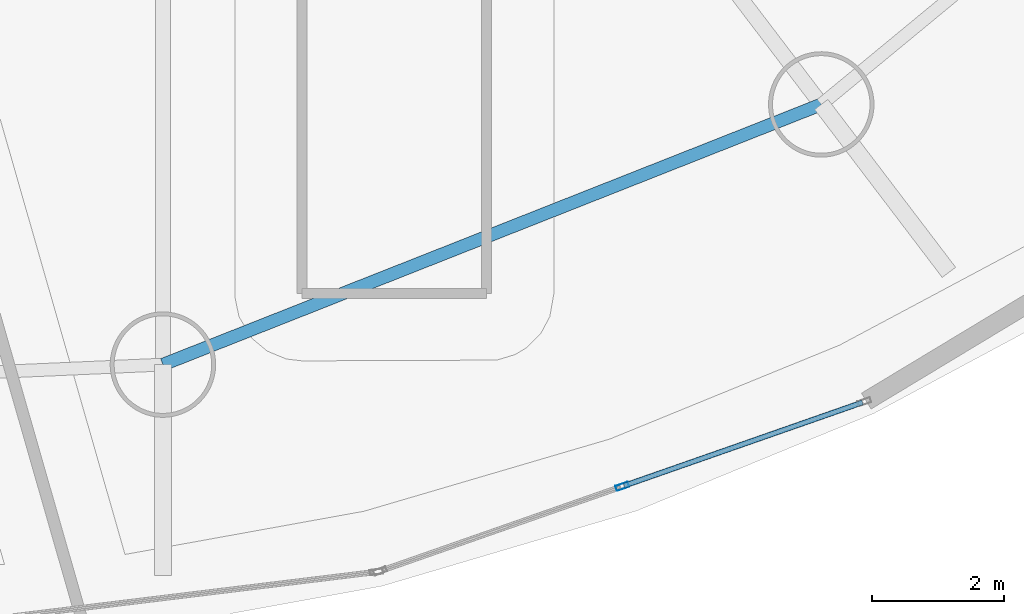
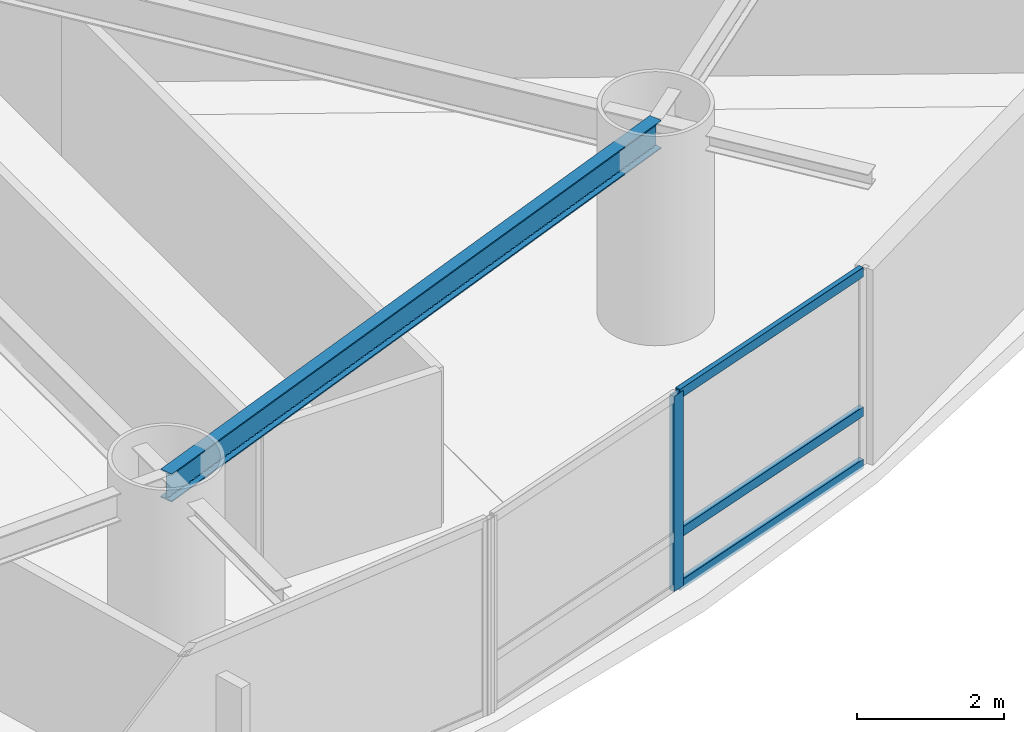
# One storey, part 9 of 30: 4 members, 1 beam, 1 element without a shape of its own.
"""IFC4 building model written with IfcOpenShell, lengths in metres."""

from ifc_helpers import new_model, si_unit, direction, frame, origin, origin_2d, place, context, subcontext, project, spatial, hollow_rectangle, i_section, extrude, material, layer, layer_set, material_profile, profile_set, type_object, element, aggregate, save


model = new_model("IFC4")

# Units and contexts
model_context = context("Model", 3, precision=1e-05, world=origin(), true_north=direction((0.0, 1.0)))
body_context = subcontext(model_context, "Body", "Model", "MODEL_VIEW")
ifc_project = project(units=[si_unit("LENGTHUNIT", "METRE"), si_unit("AREAUNIT", "SQUARE_METRE"), si_unit("VOLUMEUNIT", "CUBIC_METRE"), si_unit("PLANEANGLEUNIT", "RADIAN"), si_unit("MASSUNIT", "GRAM", prefix="KILO")], contexts=[model_context])

# Site, building, storey
site_placement = place(None, origin())
site = spatial("IfcSite", under=ifc_project, at=site_placement, CompositionType="ELEMENT")
building_placement = place(site_placement, origin())
building = spatial("IfcBuilding", under=site, at=building_placement, Name="Bramvorn Convention Spire", CompositionType="ELEMENT")
storey_placement = place(building_placement, frame((0.0, 0.0, 90.39990234375)))
storey = spatial("IfcBuildingStorey", under=building, at=storey_placement, Name="L21", CompositionType="ELEMENT", Elevation=90.39990234375)

# Beam
ifc_material_1 = material(Name="Steel CSA G40.21 Grade 350 (350W)", Category="steel")
ifc_material_profile_1 = material_profile(ifc_material_1, i_section(OverallWidth=0.194091796875, OverallDepth=0.468994140625, WebThickness=0.0126953125, FlangeThickness=0.0205078125, FilletRadius=0.01806640625, at=origin_2d()))
ifc_profile_set_1 = profile_set([ifc_material_profile_1], Name="Steel CSA G40.21 Grade 350 (350W) - W460X106")
beam_type = type_object("IfcBeamType", Name="BM-W460X106", PredefinedType="SPANDREL", material=ifc_profile_set_1)
beam_placement = place(storey_placement, frame((46.23779296875, 5.42333984375, 3.015625), z_axis=(0.93000950609, 0.367535465749, 0.0), x_axis=(-0.367535465749, 0.93000950609, 0.0)))
element("IfcBeam", 1, at=beam_placement, inside=storey, type_object=beam_type, Name="L21 mega-column ring beam 14", PredefinedType="SPANDREL", context=body_context, shape_type="SweptSolid", body=[
    extrude(i_section(OverallWidth=0.194091796875, OverallDepth=0.468994140625, WebThickness=0.0126953125, FlangeThickness=0.0205078125, FilletRadius=0.01806640625, at=origin_2d()), origin(), (0.0, 0.0, 1.0), 10.74169921875),
])

# Curtain wall, members
ifc_material_2 = material(Name="Anodised Bronze Unitised Curtain Wall", Category="aluminium")
ifc_layer = layer(ifc_material_2, 0.179931640625)
ifc_layer_set = layer_set([ifc_layer], Name="Anodised Bronze Unitised Curtain Wall - CW-HTL-FRIT")
curtain_wall_type = type_object("IfcCurtainWallType", Name="CW-HTL-FRIT", PredefinedType="USERDEFINED", material=ifc_layer_set)
curtain_wall_placement = place(storey_placement, origin())
curtain_wall = element("IfcCurtainWall", 2, at=curtain_wall_placement, inside=storey, type_object=curtain_wall_type, Name="L21 fritted glass curtain wall 21", ObjectType="UNITISED CURTAIN WALL", PredefinedType="USERDEFINED")
ifc_material_3 = material(Name="Anodised Bronze Aluminium 6063-T6", Category="aluminium")
ifc_material_profile_2 = material_profile(ifc_material_3, hollow_rectangle(XDim=0.080078125, YDim=0.199951171875, WallThickness=0.00390625, InnerFilletRadius=0.0009765625, OuterFilletRadius=0.00390625, at=origin_2d()))
ifc_profile_set_2 = profile_set([ifc_material_profile_2], Name="Anodised Bronze Aluminium 6063-T6 - CWM80X200")
member_type_1 = type_object("IfcMemberType", Name="CW-MUL-180", PredefinedType="MULLION", material=ifc_profile_set_2)
member_1_placement = place(storey_placement, frame((53.208251953125, 3.575439453125, 0.0), z_axis=(0.0, 0.0, 1.0), x_axis=(0.329972810015, -0.943990436737, 0.0)))
member_1 = element("IfcMember", 3, at=member_1_placement, type_object=member_type_1, Name="CW2 mullion 2", PredefinedType="MULLION", context=body_context, shape_type="SweptSolid", body=[
    extrude(hollow_rectangle(XDim=0.080078125, YDim=0.199951171875, WallThickness=0.00390625, InnerFilletRadius=0.0009765625, OuterFilletRadius=0.00390625, at=origin_2d()), origin(), (0.0, 0.0, 1.0), 3.25),
])
ifc_material_profile_3 = material_profile(ifc_material_3, hollow_rectangle(XDim=0.080078125, YDim=0.159912109375, WallThickness=0.00390625, InnerFilletRadius=0.0009765625, OuterFilletRadius=0.00390625, at=origin_2d()))
ifc_profile_set_3 = profile_set([ifc_material_profile_3], Name="Anodised Bronze Aluminium 6063-T6 - CWT80X160")
member_type_2 = type_object("IfcMemberType", Name="CW-TRN-150", PredefinedType="USERDEFINED", material=ifc_profile_set_3)
member_2_placement = place(storey_placement, frame((56.854248046875, 4.85009765625, 0.030029296875), z_axis=(-0.943983428897, -0.32999285745, 0.0), x_axis=(0.32999285745, -0.943983428897, 0.0)))
member_2 = element("IfcMember", 4, at=member_2_placement, type_object=member_type_2, Name="CW2 transom 1.1", ObjectType="TRANSOM", PredefinedType="USERDEFINED", context=body_context, shape_type="SweptSolid", body=[
    extrude(hollow_rectangle(XDim=0.080078125, YDim=0.159912109375, WallThickness=0.00390625, InnerFilletRadius=0.0009765625, OuterFilletRadius=0.00390625, at=origin_2d()), origin(), (0.0, 0.0, 1.0), 3.832275390625),
])
member_3_placement = place(storey_placement, frame((56.854248046875, 4.85009765625, 0.900146484375), z_axis=(-0.943983428897, -0.32999285745, 0.0), x_axis=(0.32999285745, -0.943983428897, 0.0)))
member_3 = element("IfcMember", 5, at=member_3_placement, type_object=member_type_2, Name="CW2 transom 1.2", ObjectType="TRANSOM", PredefinedType="USERDEFINED", context=body_context, shape_type="SweptSolid", body=[
    extrude(hollow_rectangle(XDim=0.080078125, YDim=0.159912109375, WallThickness=0.00390625, InnerFilletRadius=0.0009765625, OuterFilletRadius=0.00390625, at=origin_2d()), origin(), (0.0, 0.0, 1.0), 3.832275390625),
])
member_4_placement = place(storey_placement, frame((56.854248046875, 4.85009765625, 3.22021484375), z_axis=(-0.943983428897, -0.32999285745, 0.0), x_axis=(0.32999285745, -0.943983428897, 0.0)))
member_4 = element("IfcMember", 6, at=member_4_placement, type_object=member_type_2, Name="CW2 transom 1.3", ObjectType="TRANSOM", PredefinedType="USERDEFINED", context=body_context, shape_type="SweptSolid", body=[
    extrude(hollow_rectangle(XDim=0.080078125, YDim=0.159912109375, WallThickness=0.00390625, InnerFilletRadius=0.0009765625, OuterFilletRadius=0.00390625, at=origin_2d()), origin(), (0.0, 0.0, 1.0), 3.832275390625),
])
aggregate(curtain_wall, [member_1, member_2, member_3, member_4])

save(model, "model.ifc")
